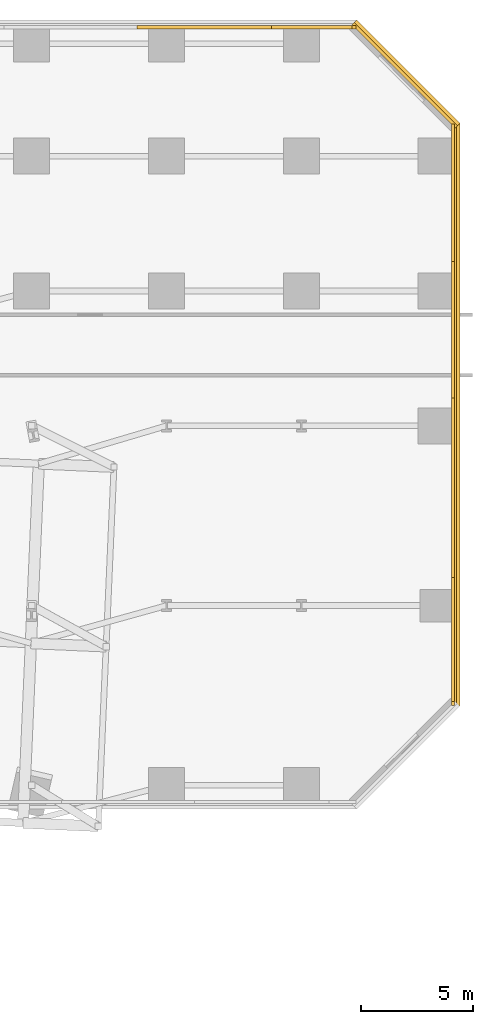
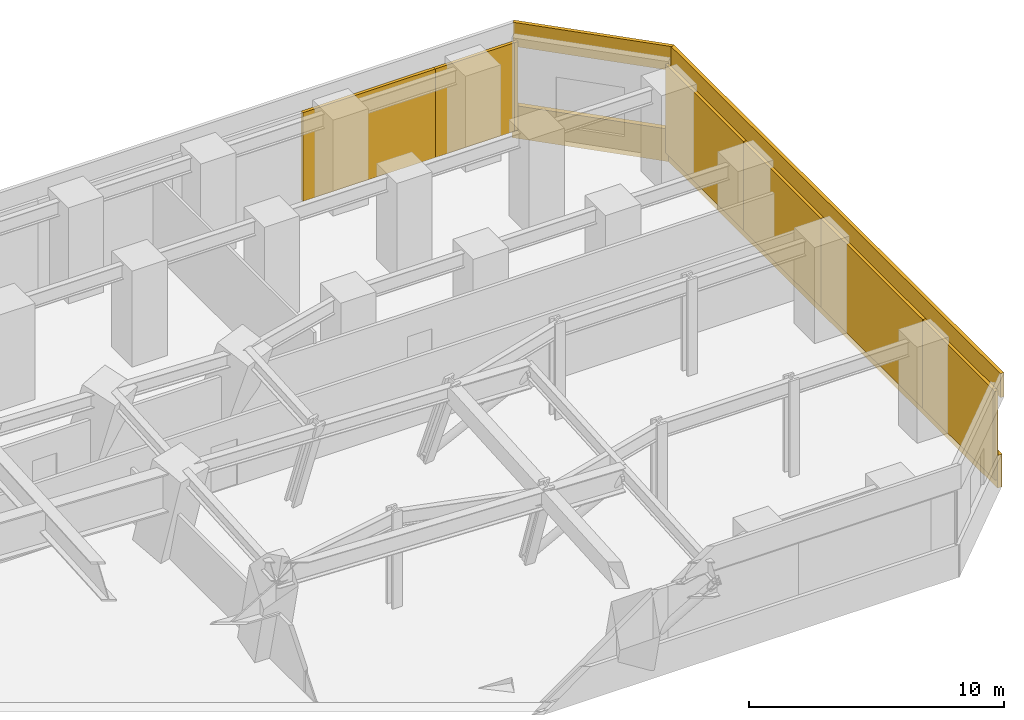
# One storey, part 14 of 14: 12 coverings.
"""IFC4 building model written with IfcOpenShell, lengths in metres."""

from ifc_helpers import new_model, si_unit, direction, frame, origin, origin_2d, place, context, subcontext, project, spatial, rectangle, extrude, source, transform, mapped, material, layer, layer_set, type_object, element, save


model = new_model("IFC4")

# Units and contexts
model_context = context("Model", 3, precision=1e-05, world=origin(), true_north=direction((0.0, 1.0)))
body_context = subcontext(model_context, "Body", "Model", "MODEL_VIEW")
ifc_project = project(units=[si_unit("LENGTHUNIT", "METRE"), si_unit("AREAUNIT", "SQUARE_METRE"), si_unit("VOLUMEUNIT", "CUBIC_METRE"), si_unit("PLANEANGLEUNIT", "RADIAN"), si_unit("MASSUNIT", "GRAM", prefix="KILO")], contexts=[model_context])

# Site, building, storey
site_placement = place(None, origin())
site = spatial("IfcSite", under=ifc_project, at=site_placement, CompositionType="ELEMENT")
building_placement = place(site_placement, origin())
building = spatial("IfcBuilding", under=site, at=building_placement, Name="Torre Montelarca", CompositionType="ELEMENT")
storey_placement = place(building_placement, frame((0.0, 0.0, 28.0)))
storey = spatial("IfcBuildingStorey", under=building, at=storey_placement, Name="L06", CompositionType="ELEMENT", Elevation=28.0)

# Coverings
ifc_material = material(Name="Bush-hammered warm white precast concrete C45/55", Category="concrete")
ifc_layer = layer(ifc_material, 0.139892578125, Name="Bush-hammered warm white precast concrete C45/55", Category="concrete")
ifc_layer_set = layer_set([ifc_layer], Name="Bush-hammered warm white precast concrete C45/55")
covering_type = type_object("IfcCoveringType", Name="COV-TRAY-CLAD", PredefinedType="CLADDING", material=ifc_layer_set)
shared_shape_1 = source(origin(), body_context, "Body", "SweptSolid", [
    extrude(rectangle(XDim=6.48388671875, YDim=0.219970703125, at=origin_2d()), origin(), (0.0, 0.0, 1.0), 1.56005859375),
])
covering_1_placement = place(storey_placement, frame((76.62890625, 55.62890625, -0.400146484375), z_axis=(0.0, 0.0, 1.0), x_axis=(-0.707106781187, 0.707106781187, 0.0)))
element("IfcCovering", 1, at=covering_1_placement, inside=storey, type_object=covering_type, Name="L06 Architectural White Spandrel Tray Band PODBOT-07", PredefinedType="CLADDING", context=body_context, shape_type="MappedRepresentation", body=[
    mapped(shared_shape_1, transform((0.0, 0.0, 0.0), scale=1.0)),
])
shared_shape_2 = source(origin(), body_context, "Body", "SweptSolid", [
    extrude(rectangle(XDim=25.919921875, YDim=0.219970703125, at=origin_2d()), origin(), (0.0, 0.0, 1.0), 1.56005859375),
])
covering_2_placement = place(storey_placement, frame((78.8701171875, 40.5, -0.400146484375), z_axis=(0.0, 0.0, 1.0), x_axis=(0.0, 1.0, 0.0)))
element("IfcCovering", 2, at=covering_2_placement, inside=storey, type_object=covering_type, Name="L06 Architectural White Spandrel Tray Band PODBOT-06", PredefinedType="CLADDING", context=body_context, shape_type="MappedRepresentation", body=[
    mapped(shared_shape_2, transform((0.0, 0.0, 0.0), scale=1.0)),
])
shared_shape_3 = source(origin(), body_context, "Body", "SweptSolid", [
    extrude(rectangle(XDim=0.179931640625, YDim=0.139892578125, at=origin_2d()), origin(), (0.0, 0.0, 1.0), 4.25),
])
for number, where, z_axis, x_axis, name in (
    (3, (78.739990234375, 27.64990234375, 0.0), (0.0, 0.0, 1.0), (0.0, 1.0, 0.0), "L06 Architectural Column Pier Cladding E06-1"),
    (4, (74.35009765625, 57.739990234375, 0.0), (0.0, 0.0, 1.0), (-1.0, 0.0, 0.0), "L06 Architectural Column Pier Cladding E08-1"),
):
    element("IfcCovering", number, at=place(storey_placement, frame(where, z_axis=z_axis, x_axis=x_axis)), inside=storey, type_object=covering_type, Name=name, PredefinedType="CLADDING", context=body_context, shape_type="MappedRepresentation", body=[
        mapped(shared_shape_3, transform((0.0, 0.0, 0.0), scale=1.0)),
    ])
shared_shape_4 = source(origin(), body_context, "Body", "SweptSolid", [
    extrude(rectangle(XDim=6.080078125, YDim=0.139892578125, at=origin_2d()), origin(), (0.0, 0.0, 1.0), 4.25),
])
for number, where, z_axis, x_axis, name in (
    (5, (78.739990234375, 44.280029296875, 0.0), (0.0, 0.0, 1.0), (0.0, 1.0, 0.0), "L06 Architectural Column Pier Cladding E06-4"),
    (6, (67.719970703125, 57.739990234375, 0.0), (0.0, 0.0, 1.0), (-1.0, 0.0, 0.0), "L06 Architectural Column Pier Cladding E08-3"),
):
    element("IfcCovering", number, at=place(storey_placement, frame(where, z_axis=z_axis, x_axis=x_axis)), inside=storey, type_object=covering_type, Name=name, PredefinedType="CLADDING", context=body_context, shape_type="MappedRepresentation", body=[
        mapped(shared_shape_4, transform((0.0, 0.0, 0.0), scale=1.0)),
    ])
shared_shape_5 = source(origin(), body_context, "Body", "SweptSolid", [
    extrude(rectangle(XDim=5.5849609375, YDim=0.139892578125, at=origin_2d()), origin(), (0.0, 0.0, 1.0), 4.25),
])
covering_3_placement = place(storey_placement, frame((78.739990234375, 30.452392578125, 0.0), z_axis=(0.0, 0.0, 1.0), x_axis=(0.0, 1.0, 0.0)))
element("IfcCovering", 7, at=covering_3_placement, inside=storey, type_object=covering_type, Name="L06 Architectural Column Pier Cladding E06-2", PredefinedType="CLADDING", context=body_context, shape_type="MappedRepresentation", body=[
    mapped(shared_shape_5, transform((0.0, 0.0, 0.0), scale=1.0)),
])
shared_shape_6 = source(origin(), body_context, "Body", "SweptSolid", [
    extrude(rectangle(XDim=8.155029296875, YDim=0.139892578125, at=origin_2d()), origin(), (0.0, 0.0, 1.0), 4.25),
])
covering_4_placement = place(storey_placement, frame((78.739990234375, 37.242431640625, 0.0), z_axis=(0.0, 0.0, 1.0), x_axis=(0.0, 1.0, 0.0)))
element("IfcCovering", 8, at=covering_4_placement, inside=storey, type_object=covering_type, Name="L06 Architectural Column Pier Cladding E06-3", PredefinedType="CLADDING", context=body_context, shape_type="MappedRepresentation", body=[
    mapped(shared_shape_6, transform((0.0, 0.0, 0.0), scale=1.0)),
])
shared_shape_7 = source(origin(), body_context, "Body", "SweptSolid", [
    extrude(rectangle(XDim=6.199951171875, YDim=0.139892578125, at=origin_2d()), origin(), (0.0, 0.0, 1.0), 4.25),
])
covering_5_placement = place(storey_placement, frame((78.739990234375, 50.340087890625, 0.0), z_axis=(0.0, 0.0, 1.0), x_axis=(0.0, 1.0, 0.0)))
element("IfcCovering", 9, at=covering_5_placement, inside=storey, type_object=covering_type, Name="L06 Architectural Column Pier Cladding E06-5", PredefinedType="CLADDING", context=body_context, shape_type="MappedRepresentation", body=[
    mapped(shared_shape_7, transform((0.0, 0.0, 0.0), scale=1.0)),
])
shared_shape_8 = source(origin(), body_context, "Body", "SweptSolid", [
    extrude(rectangle(XDim=3.659912109375, YDim=0.139892578125, at=origin_2d()), origin(), (0.0, 0.0, 1.0), 4.25),
])
covering_6_placement = place(storey_placement, frame((72.510009765625, 57.739990234375, 0.0), z_axis=(0.0, 0.0, 1.0), x_axis=(-1.0, 0.0, 0.0)))
element("IfcCovering", 10, at=covering_6_placement, inside=storey, type_object=covering_type, Name="L06 Architectural Column Pier Cladding E08-2", PredefinedType="CLADDING", context=body_context, shape_type="MappedRepresentation", body=[
    mapped(shared_shape_8, transform((0.0, 0.0, 0.0), scale=1.0)),
])
shared_shape_9 = source(origin(), body_context, "Body", "SweptSolid", [
    extrude(rectangle(XDim=6.48388671875, YDim=0.159912109375, at=origin_2d()), origin(), (0.0, 0.0, 1.0), 1.14990234375),
])
covering_7_placement = place(storey_placement, frame((76.70654296875, 55.70654296875, 3.885009765625), z_axis=(0.0, 0.0, 1.0), x_axis=(-0.707106781187, 0.707106781187, 0.0)))
element("IfcCovering", 11, at=covering_7_placement, inside=storey, type_object=covering_type, Name="L06 Architectural White Spandrel Tray Band SETCORN-07", PredefinedType="CLADDING", context=body_context, shape_type="MappedRepresentation", body=[
    mapped(shared_shape_9, transform((0.0, 0.0, 0.0), scale=1.0)),
])
shared_shape_10 = source(origin(), body_context, "Body", "SweptSolid", [
    extrude(rectangle(XDim=25.919921875, YDim=0.159912109375, at=origin_2d()), origin(), (0.0, 0.0, 1.0), 1.14990234375),
])
covering_8_placement = place(storey_placement, frame((78.97998046875, 40.5, 3.885009765625), z_axis=(0.0, 0.0, 1.0), x_axis=(0.0, 1.0, 0.0)))
element("IfcCovering", 12, at=covering_8_placement, inside=storey, type_object=covering_type, Name="L06 Architectural White Spandrel Tray Band SETCORN-06", PredefinedType="CLADDING", context=body_context, shape_type="MappedRepresentation", body=[
    mapped(shared_shape_10, transform((0.0, 0.0, 0.0), scale=1.0)),
])

save(model, "model.ifc")
